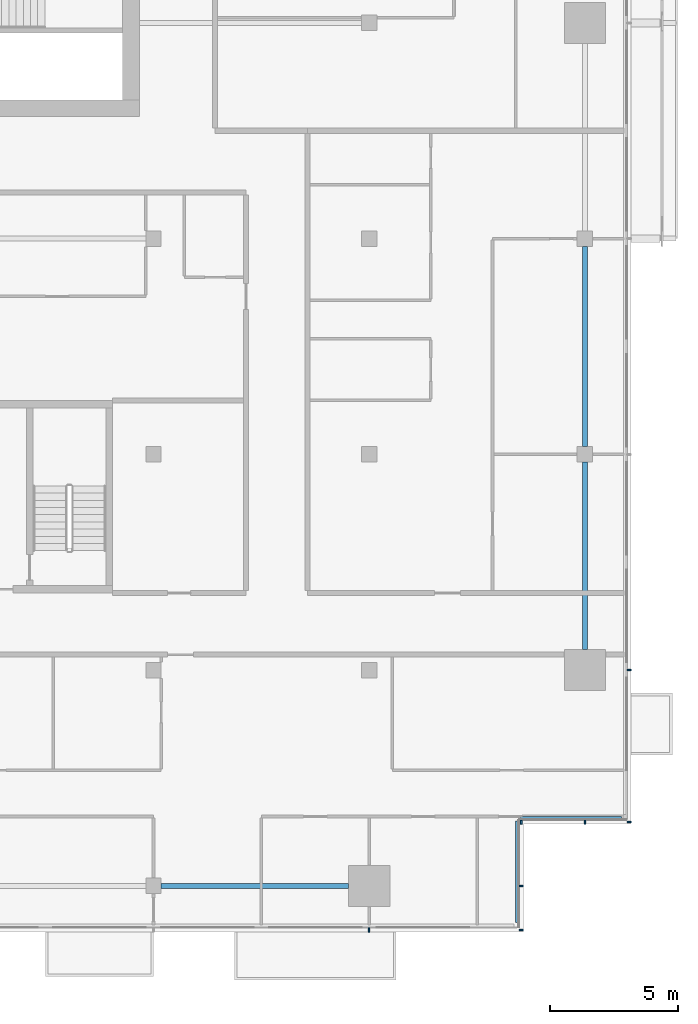
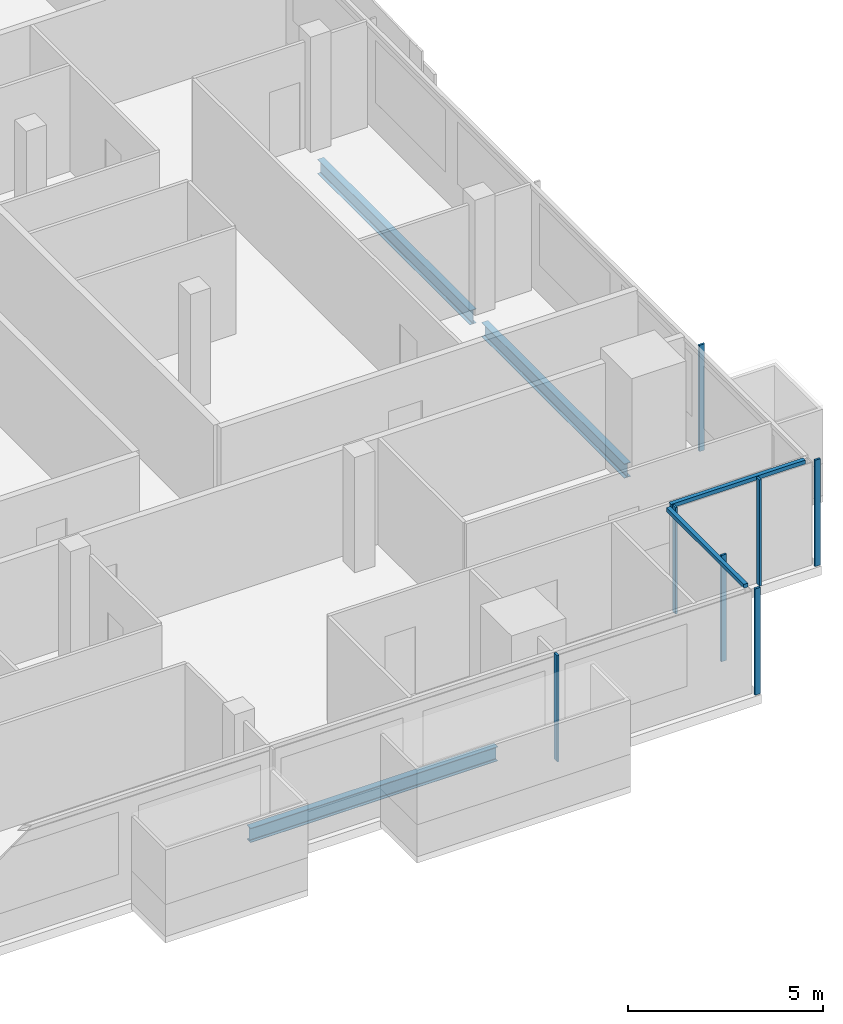
# One storey, part 11 of 30: 9 members, 3 beams, 4 elements without a shape of their own.
"""IFC4 building model written with IfcOpenShell, lengths in metres."""

from ifc_helpers import new_model, si_unit, direction, frame, origin, origin_2d, place, context, subcontext, project, spatial, rectangle, i_section, extrude, material, material_profile, profile_set, type_object, element, aggregate, save


model = new_model("IFC4")

# Units and contexts
model_context = context("Model", 3, precision=1e-05, world=origin(), true_north=direction((0.0, 1.0)))
body_context = subcontext(model_context, "Body", "Model", "MODEL_VIEW")
ifc_project = project(units=[si_unit("LENGTHUNIT", "METRE"), si_unit("AREAUNIT", "SQUARE_METRE"), si_unit("VOLUMEUNIT", "CUBIC_METRE"), si_unit("PLANEANGLEUNIT", "RADIAN"), si_unit("MASSUNIT", "GRAM", prefix="KILO")], contexts=[model_context])

# Site, building, storey
site_placement = place(None, origin())
site = spatial("IfcSite", under=ifc_project, at=site_placement, CompositionType="ELEMENT")
building_placement = place(site_placement, origin())
building = spatial("IfcBuilding", under=site, at=building_placement, Name="Saffron Gate Tower", CompositionType="ELEMENT")
storey_placement = place(building_placement, frame((0.0, 0.0, 223.5)))
storey = spatial("IfcBuildingStorey", under=building, at=storey_placement, Name="L54", CompositionType="ELEMENT", Elevation=223.5)

# Beams
ifc_material_1 = material(Name="Structural steel S355", Category="steel")
ifc_material_profile_1 = material_profile(ifc_material_1, i_section(OverallWidth=0.18994140625, OverallDepth=0.449951171875, WebThickness=0.009521484375, FlangeThickness=0.0146484375, FilletRadius=0.02099609375, at=origin_2d()))
ifc_profile_set_1 = profile_set([ifc_material_profile_1], Name="Structural steel S355")
beam_type = type_object("IfcBeamType", Name="B7 IPE 450", PredefinedType="SPANDREL", material=ifc_profile_set_1)
for number, where, z_axis, x_axis, name in (
    (1, (108.89990234375, 31.800048828125, -0.5048828125), (1.0, 0.0, 0.0), (0.0, 1.0, 0.0), "B7 SPANDREL BEAM"),
    (2, (125.39990234375, 41.0, -0.5048828125), (0.0, 1.0, 0.0), (-1.0, 0.0, 0.0), "B7 SPANDREL BEAM"),
):
    element("IfcBeam", number, at=place(storey_placement, frame(where, z_axis=z_axis, x_axis=x_axis)), inside=storey, type_object=beam_type, Name=name, PredefinedType="SPANDREL", context=body_context, shape_type="SweptSolid", body=[
        extrude(i_section(OverallWidth=0.18994140625, OverallDepth=0.449951171875, WebThickness=0.009521484375, FlangeThickness=0.0146484375, FilletRadius=0.02099609375, at=origin_2d()), origin(), (0.0, 0.0, 1.0), 7.300048828125),
    ])
beam_placement = place(storey_placement, frame((125.39990234375, 48.89990234375, -0.5048828125), z_axis=(0.0, 1.0, 0.0), x_axis=(-1.0, 0.0, 0.0)))
element("IfcBeam", 3, at=beam_placement, inside=storey, type_object=beam_type, Name="B7 SPANDREL BEAM", PredefinedType="SPANDREL", context=body_context, shape_type="SweptSolid", body=[
    extrude(i_section(OverallWidth=0.18994140625, OverallDepth=0.449951171875, WebThickness=0.009521484375, FlangeThickness=0.0146484375, FilletRadius=0.02099609375, at=origin_2d()), origin(), (0.0, 0.0, 1.0), 7.800048828125),
])

# Curtain wall, member
ifc_material_2 = material(Name="Aluminium, bronze anodised", Category="aluminium")
curtain_wall_type_1 = type_object("IfcCurtainWallType", Name="CWS1 curtain wall front facade", PredefinedType="NOTDEFINED", material=ifc_material_2)
curtain_wall_1_placement = place(storey_placement, origin())
curtain_wall_1 = element("IfcCurtainWall", 4, at=curtain_wall_1_placement, inside=storey, type_object=curtain_wall_type_1, Name="CWS1 run 1", PredefinedType="NOTDEFINED")
ifc_material_profile_2 = material_profile(ifc_material_2, rectangle(XDim=0.159912109375, YDim=0.06005859375, at=origin_2d()))
ifc_profile_set_2 = profile_set([ifc_material_profile_2], Name="Aluminium, bronze anodised")
member_type_1 = type_object("IfcMemberType", Name="CWS1 mullion 60x160", PredefinedType="MULLION", material=ifc_profile_set_2)
member_1_placement = place(storey_placement, frame((117.0, 30.080078125, 0.0), z_axis=(0.0, 0.0, 1.0), x_axis=(0.0, 1.0, 0.0)))
member_1 = element("IfcMember", 5, at=member_1_placement, type_object=member_type_1, Name="CWS1 mullion 9", PredefinedType="MULLION", context=body_context, shape_type="SweptSolid", body=[
    extrude(rectangle(XDim=0.159912109375, YDim=0.06005859375, at=origin_2d()), origin(), (0.0, 0.0, 1.0), 3.320068359375),
])
aggregate(curtain_wall_1, [member_1])

# Curtain wall, members
curtain_wall_type_2 = type_object("IfcCurtainWallType", Name="CWS2 curtain wall side facades", PredefinedType="NOTDEFINED", material=ifc_material_2)
curtain_wall_2_placement = place(storey_placement, origin())
curtain_wall_2 = element("IfcCurtainWall", 6, at=curtain_wall_2_placement, inside=storey, type_object=curtain_wall_type_2, Name="CWS2 run 4", PredefinedType="NOTDEFINED")
ifc_material_profile_3 = material_profile(ifc_material_2, rectangle(XDim=0.159912109375, YDim=0.06005859375, at=origin_2d()))
ifc_profile_set_3 = profile_set([ifc_material_profile_3], Name="Aluminium, bronze anodised")
member_type_2 = type_object("IfcMemberType", Name="CWS2 mullion 60x160", PredefinedType="MULLION", material=ifc_profile_set_3)
member_2_placement = place(storey_placement, frame((127.1201171875, 34.280029296875, 0.0), z_axis=(0.0, 0.0, 1.0), x_axis=(-1.0, 0.0, 0.0)))
member_2 = element("IfcMember", 7, at=member_2_placement, type_object=member_type_2, Name="CWS2 mullion 1", PredefinedType="MULLION", context=body_context, shape_type="SweptSolid", body=[
    extrude(rectangle(XDim=0.159912109375, YDim=0.06005859375, at=origin_2d()), origin(), (0.0, 0.0, 1.0), 3.320068359375),
])
member_3_placement = place(storey_placement, frame((127.1201171875, 40.199951171875, 0.0), z_axis=(0.0, 0.0, 1.0), x_axis=(-1.0, 0.0, 0.0)))
member_3 = element("IfcMember", 8, at=member_3_placement, type_object=member_type_2, Name="CWS2 mullion 2", PredefinedType="MULLION", context=body_context, shape_type="SweptSolid", body=[
    extrude(rectangle(XDim=0.159912109375, YDim=0.06005859375, at=origin_2d()), origin(), (0.0, 0.0, 1.0), 3.320068359375),
])
aggregate(curtain_wall_2, [member_2, member_3])

# Curtain wall, member
curtain_wall_type_3 = type_object("IfcCurtainWallType", Name="CWS4 curtain wall corner returns", PredefinedType="NOTDEFINED", material=ifc_material_2)
curtain_wall_3_placement = place(storey_placement, origin())
curtain_wall_3 = element("IfcCurtainWall", 9, at=curtain_wall_3_placement, inside=storey, type_object=curtain_wall_type_3, Name="CWS4 run 2", PredefinedType="NOTDEFINED")
ifc_material_profile_4 = material_profile(ifc_material_2, rectangle(XDim=0.1201171875, YDim=0.1201171875, at=origin_2d()))
ifc_profile_set_4 = profile_set([ifc_material_profile_4], Name="Aluminium, bronze anodised")
member_type_3 = type_object("IfcMemberType", Name="CWS4 head transom", PredefinedType="USERDEFINED", material=ifc_profile_set_4)
member_4_placement = place(storey_placement, frame((122.751953125, 30.367919921875, 3.260009765625), z_axis=(0.0, 1.0, 0.0), x_axis=(-1.0, 0.0, 0.0)))
member_4 = element("IfcMember", 10, at=member_4_placement, type_object=member_type_3, Name="CWS4 head transom", ObjectType="TRANSOM", PredefinedType="USERDEFINED", context=body_context, shape_type="SweptSolid", body=[
    extrude(rectangle(XDim=0.1201171875, YDim=0.1201171875, at=origin_2d()), origin(), (0.0, 0.0, 1.0), 3.9599609375),
])

curtain_wall_4_placement = place(storey_placement, origin())
curtain_wall_4 = element("IfcCurtainWall", 11, at=curtain_wall_4_placement, inside=storey, type_object=curtain_wall_type_3, Name="CWS4 run 3", PredefinedType="NOTDEFINED")
member_5_placement = place(storey_placement, frame((122.8720703125, 34.447998046875, 3.260009765625), z_axis=(1.0, 0.0, 0.0), x_axis=(0.0, 1.0, 0.0)))
member_5 = element("IfcMember", 12, at=member_5_placement, type_object=member_type_3, Name="CWS4 head transom", ObjectType="TRANSOM", PredefinedType="USERDEFINED", context=body_context, shape_type="SweptSolid", body=[
    extrude(rectangle(XDim=0.1201171875, YDim=0.1201171875, at=origin_2d()), origin(), (0.0, 0.0, 1.0), 3.9599609375),
])

# Member
ifc_material_profile_5 = material_profile(ifc_material_2, rectangle(XDim=0.159912109375, YDim=0.06005859375, at=origin_2d()))
ifc_profile_set_5 = profile_set([ifc_material_profile_5], Name="Aluminium, bronze anodised")
member_type_4 = type_object("IfcMemberType", Name="CWS4 mullion 60x160", PredefinedType="MULLION", material=ifc_profile_set_5)
member_6_placement = place(storey_placement, frame((122.919921875, 30.080078125, 0.0), z_axis=(0.0, 0.0, 1.0), x_axis=(-1.0, 0.0, 0.0)))
member_6 = element("IfcMember", 13, at=member_6_placement, type_object=member_type_4, Name="CWS4 mullion 1", PredefinedType="MULLION", context=body_context, shape_type="SweptSolid", body=[
    extrude(rectangle(XDim=0.159912109375, YDim=0.06005859375, at=origin_2d()), origin(), (0.0, 0.0, 1.0), 3.320068359375),
])

member_7_placement = place(storey_placement, frame((122.919921875, 31.800048828125, 0.0), z_axis=(0.0, 0.0, 1.0), x_axis=(-1.0, 0.0, 0.0)))
member_7 = element("IfcMember", 14, at=member_7_placement, type_object=member_type_4, Name="CWS4 mullion 2", PredefinedType="MULLION", context=body_context, shape_type="SweptSolid", body=[
    extrude(rectangle(XDim=0.159912109375, YDim=0.06005859375, at=origin_2d()), origin(), (0.0, 0.0, 1.0), 3.320068359375),
])

aggregate(curtain_wall_3, [member_6, member_7, member_4])

member_8_placement = place(storey_placement, frame((122.919921875, 34.280029296875, 0.0), z_axis=(0.0, 0.0, 1.0), x_axis=(0.0, 1.0, 0.0)))
member_8 = element("IfcMember", 15, at=member_8_placement, type_object=member_type_4, Name="CWS4 mullion 1", PredefinedType="MULLION", context=body_context, shape_type="SweptSolid", body=[
    extrude(rectangle(XDim=0.159912109375, YDim=0.06005859375, at=origin_2d()), origin(), (0.0, 0.0, 1.0), 3.320068359375),
])

member_9_placement = place(storey_placement, frame((125.39990234375, 34.280029296875, 0.0), z_axis=(0.0, 0.0, 1.0), x_axis=(0.0, 1.0, 0.0)))
member_9 = element("IfcMember", 16, at=member_9_placement, type_object=member_type_4, Name="CWS4 mullion 2", PredefinedType="MULLION", context=body_context, shape_type="SweptSolid", body=[
    extrude(rectangle(XDim=0.159912109375, YDim=0.06005859375, at=origin_2d()), origin(), (0.0, 0.0, 1.0), 3.320068359375),
])

aggregate(curtain_wall_4, [member_8, member_9, member_5])

save(model, "model.ifc")
